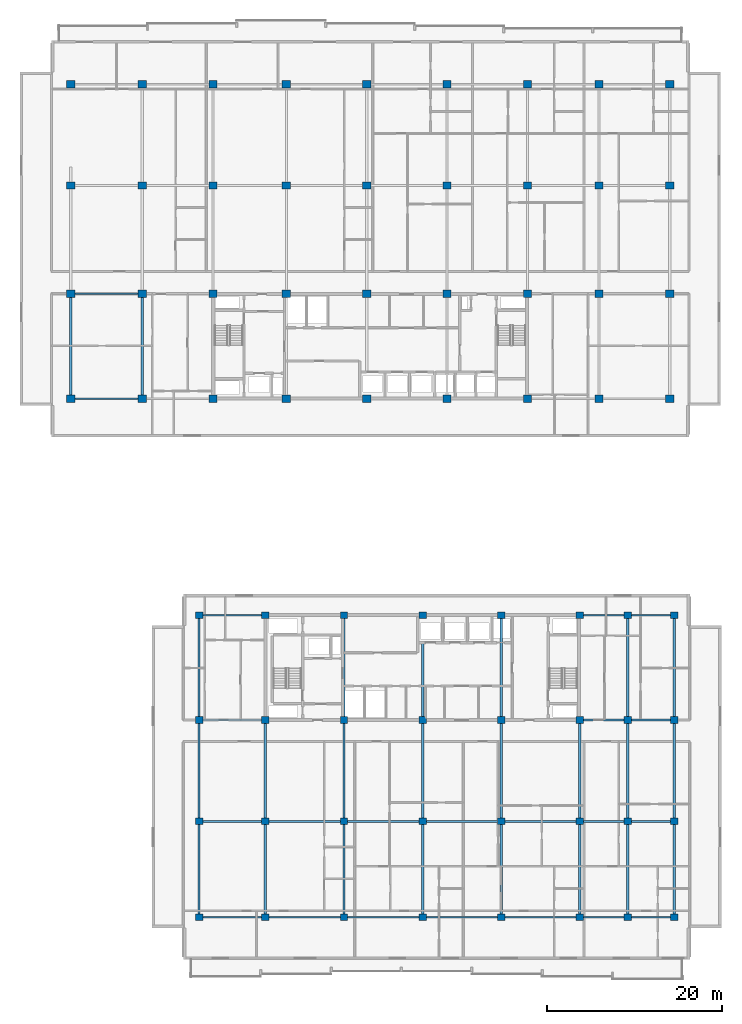
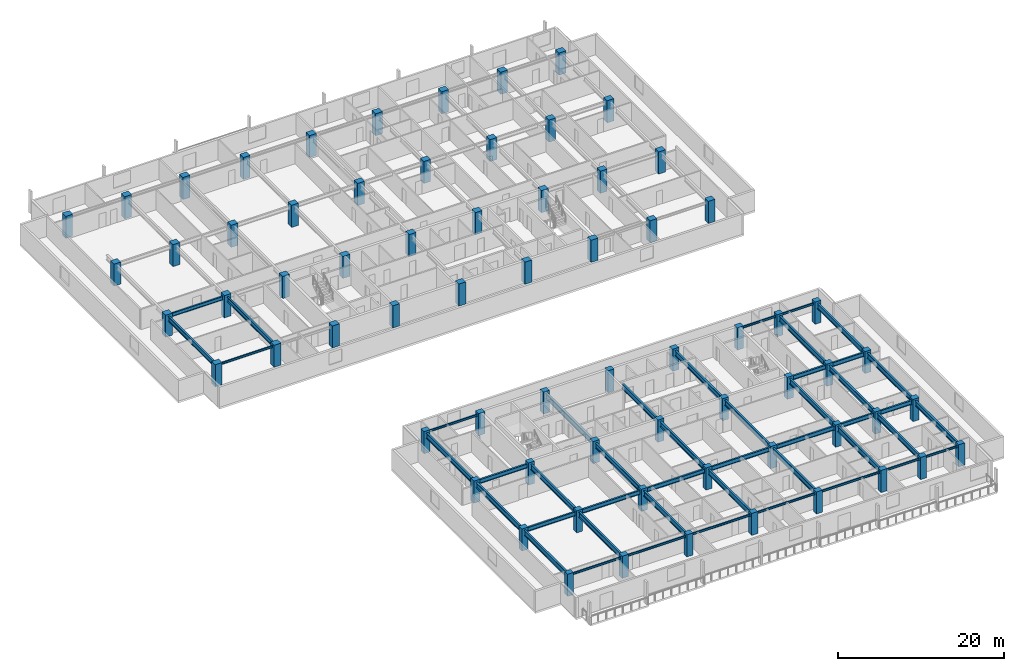
# One storey, part 1 of 21: 68 columns, 46 beams.
"""IFC4 building model written with IfcOpenShell, lengths in metres."""

from ifc_helpers import new_model, si_unit, direction, frame, origin, origin_2d, place, context, subcontext, project, spatial, rectangle, i_section, extrude, material, material_profile, profile_set, type_object, element, save


model = new_model("IFC4")

# Units and contexts
model_context = context("Model", 3, precision=1e-05, world=origin(), true_north=direction((0.0, 1.0)))
body_context = subcontext(model_context, "Body", "Model", "MODEL_VIEW")
ifc_project = project(units=[si_unit("LENGTHUNIT", "METRE"), si_unit("AREAUNIT", "SQUARE_METRE"), si_unit("VOLUMEUNIT", "CUBIC_METRE"), si_unit("PLANEANGLEUNIT", "RADIAN"), si_unit("MASSUNIT", "GRAM", prefix="KILO")], contexts=[model_context])

# Site, building, storey
site_placement = place(None, origin())
site = spatial("IfcSite", under=ifc_project, at=site_placement, CompositionType="ELEMENT")
building_placement = place(site_placement, origin())
building = spatial("IfcBuilding", under=site, at=building_placement, Name="Korimba Cascade Residences", CompositionType="ELEMENT")
storey_placement = place(building_placement, frame((0.0, 0.0, 106.800048828125)))
storey = spatial("IfcBuildingStorey", under=building, at=storey_placement, Name="L30", CompositionType="ELEMENT", Elevation=106.800048828125)

# Columns
ifc_material_1 = material(Name="Concrete C65/80", Category="concrete")
ifc_material_profile_1 = material_profile(ifc_material_1, rectangle(XDim=0.85009765625, YDim=0.75, at=origin_2d()), Name="Concrete C65/80")
ifc_profile_set_1 = profile_set([ifc_material_profile_1], Name="Concrete C65/80")
column_type_1 = type_object("IfcColumnType", Name="COL-RC-850", PredefinedType="COLUMN", material=ifc_profile_set_1)
for number, where, z_axis, x_axis, name in (
    (1, (74.5, -4.199951171875, 0.0), (0.0, 0.0, 1.0), (1.0, 0.0, 0.0), "L30 Tower 2 Column 1.1"),
    (2, (74.5, 6.800048828125, 0.0), (0.0, 0.0, 1.0), (1.0, 0.0, 0.0), "L30 Tower 2 Column 1.2"),
    (3, (74.5, 18.39990234375, 0.0), (0.0, 0.0, 1.0), (1.0, 0.0, 0.0), "L30 Tower 2 Column 1.3"),
    (4, (74.5, 30.39990234375, 0.0), (0.0, 0.0, 1.0), (1.0, 0.0, 0.0), "L30 Tower 2 Column 1.4"),
    (5, (82.10009765625, -4.199951171875, 0.0), (0.0, 0.0, 1.0), (1.0, 0.0, 0.0), "L30 Tower 2 Column 2.1"),
    (6, (82.10009765625, 6.800048828125, 0.0), (0.0, 0.0, 1.0), (1.0, 0.0, 0.0), "L30 Tower 2 Column 2.2"),
    (7, (82.10009765625, 18.39990234375, 0.0), (0.0, 0.0, 1.0), (1.0, 0.0, 0.0), "L30 Tower 2 Column 2.3"),
    (8, (82.10009765625, 30.39990234375, 0.0), (0.0, 0.0, 1.0), (1.0, 0.0, 0.0), "L30 Tower 2 Column 2.4"),
    (9, (91.10009765625, -4.199951171875, 0.0), (0.0, 0.0, 1.0), (1.0, 0.0, 0.0), "L30 Tower 2 Column 3.1"),
    (10, (91.10009765625, 6.800048828125, 0.0), (0.0, 0.0, 1.0), (1.0, 0.0, 0.0), "L30 Tower 2 Column 3.2"),
    (11, (91.10009765625, 18.39990234375, 0.0), (0.0, 0.0, 1.0), (1.0, 0.0, 0.0), "L30 Tower 2 Column 3.3"),
    (12, (91.10009765625, 30.39990234375, 0.0), (0.0, 0.0, 1.0), (1.0, 0.0, 0.0), "L30 Tower 2 Column 3.4"),
    (13, (100.10009765625, -4.199951171875, 0.0), (0.0, 0.0, 1.0), (1.0, 0.0, 0.0), "L30 Tower 2 Column 4.1"),
    (14, (100.10009765625, 6.800048828125, 0.0), (0.0, 0.0, 1.0), (1.0, 0.0, 0.0), "L30 Tower 2 Column 4.2"),
    (15, (100.10009765625, 18.39990234375, 0.0), (0.0, 0.0, 1.0), (1.0, 0.0, 0.0), "L30 Tower 2 Column 4.3"),
    (16, (100.10009765625, 30.39990234375, 0.0), (0.0, 0.0, 1.0), (1.0, 0.0, 0.0), "L30 Tower 2 Column 4.4"),
    (17, (109.10009765625, -4.199951171875, 0.0), (0.0, 0.0, 1.0), (1.0, 0.0, 0.0), "L30 Tower 2 Column 5.1"),
    (18, (109.10009765625, 6.800048828125, 0.0), (0.0, 0.0, 1.0), (1.0, 0.0, 0.0), "L30 Tower 2 Column 5.2"),
    (19, (109.10009765625, 18.39990234375, 0.0), (0.0, 0.0, 1.0), (1.0, 0.0, 0.0), "L30 Tower 2 Column 5.3"),
    (20, (109.10009765625, 30.39990234375, 0.0), (0.0, 0.0, 1.0), (1.0, 0.0, 0.0), "L30 Tower 2 Column 5.4"),
    (21, (118.10009765625, -4.199951171875, 0.0), (0.0, 0.0, 1.0), (1.0, 0.0, 0.0), "L30 Tower 2 Column 6.1"),
    (22, (118.10009765625, 6.800048828125, 0.0), (0.0, 0.0, 1.0), (1.0, 0.0, 0.0), "L30 Tower 2 Column 6.2"),
    (23, (118.10009765625, 18.39990234375, 0.0), (0.0, 0.0, 1.0), (1.0, 0.0, 0.0), "L30 Tower 2 Column 6.3"),
    (24, (118.10009765625, 30.39990234375, 0.0), (0.0, 0.0, 1.0), (1.0, 0.0, 0.0), "L30 Tower 2 Column 6.4"),
    (25, (123.60009765625, -4.199951171875, 0.0), (0.0, 0.0, 1.0), (1.0, 0.0, 0.0), "L30 Tower 2 Column 7.1"),
    (26, (123.60009765625, 6.800048828125, 0.0), (0.0, 0.0, 1.0), (1.0, 0.0, 0.0), "L30 Tower 2 Column 7.2"),
    (27, (123.60009765625, 18.39990234375, 0.0), (0.0, 0.0, 1.0), (1.0, 0.0, 0.0), "L30 Tower 2 Column 7.3"),
    (28, (123.60009765625, 30.39990234375, 0.0), (0.0, 0.0, 1.0), (1.0, 0.0, 0.0), "L30 Tower 2 Column 7.4"),
    (29, (128.89990234375, -4.199951171875, 0.0), (0.0, 0.0, 1.0), (1.0, 0.0, 0.0), "L30 Tower 2 Column 8.1"),
    (30, (128.89990234375, 6.800048828125, 0.0), (0.0, 0.0, 1.0), (1.0, 0.0, 0.0), "L30 Tower 2 Column 8.2"),
    (31, (128.89990234375, 18.39990234375, 0.0), (0.0, 0.0, 1.0), (1.0, 0.0, 0.0), "L30 Tower 2 Column 8.3"),
    (32, (128.89990234375, 30.39990234375, 0.0), (0.0, 0.0, 1.0), (1.0, 0.0, 0.0), "L30 Tower 2 Column 8.4"),
):
    element("IfcColumn", number, at=place(storey_placement, frame(where, z_axis=z_axis, x_axis=x_axis)), inside=storey, type_object=column_type_1, Name=name, PredefinedType="COLUMN", context=body_context, shape_type="SweptSolid", body=[
        extrude(rectangle(XDim=0.85009765625, YDim=0.75, at=origin_2d()), origin(), (0.0, 0.0, 1.0), 3.25),
    ])
ifc_material_profile_2 = material_profile(ifc_material_1, rectangle(XDim=0.949951171875, YDim=0.85009765625, at=origin_2d()), Name="Concrete C65/80")
ifc_profile_set_2 = profile_set([ifc_material_profile_2], Name="Concrete C65/80")
column_type_2 = type_object("IfcColumnType", Name="COL-RC-950", PredefinedType="COLUMN", material=ifc_profile_set_2)
for number, where, z_axis, x_axis, name in (
    (33, (59.800048828125, 55.199951171875, 0.0), (0.0, 0.0, 1.0), (1.0, 0.0, 0.0), "L30 Tower 1 Column 1.1"),
    (34, (59.800048828125, 67.199951171875, 0.0), (0.0, 0.0, 1.0), (1.0, 0.0, 0.0), "L30 Tower 1 Column 1.2"),
    (35, (59.800048828125, 79.60009765625, 0.0), (0.0, 0.0, 1.0), (1.0, 0.0, 0.0), "L30 Tower 1 Column 1.3"),
    (36, (59.800048828125, 91.199951171875, 0.0), (0.0, 0.0, 1.0), (1.0, 0.0, 0.0), "L30 Tower 1 Column 1.4"),
    (37, (68.0, 55.199951171875, 0.0), (0.0, 0.0, 1.0), (1.0, 0.0, 0.0), "L30 Tower 1 Column 2.1"),
    (38, (68.0, 67.199951171875, 0.0), (0.0, 0.0, 1.0), (1.0, 0.0, 0.0), "L30 Tower 1 Column 2.2"),
    (39, (68.0, 79.60009765625, 0.0), (0.0, 0.0, 1.0), (1.0, 0.0, 0.0), "L30 Tower 1 Column 2.3"),
    (40, (68.0, 91.199951171875, 0.0), (0.0, 0.0, 1.0), (1.0, 0.0, 0.0), "L30 Tower 1 Column 2.4"),
    (41, (76.10009765625, 55.199951171875, 0.0), (0.0, 0.0, 1.0), (1.0, 0.0, 0.0), "L30 Tower 1 Column 3.1"),
    (42, (76.10009765625, 67.199951171875, 0.0), (0.0, 0.0, 1.0), (1.0, 0.0, 0.0), "L30 Tower 1 Column 3.2"),
    (43, (76.10009765625, 79.60009765625, 0.0), (0.0, 0.0, 1.0), (1.0, 0.0, 0.0), "L30 Tower 1 Column 3.3"),
    (44, (76.10009765625, 91.199951171875, 0.0), (0.0, 0.0, 1.0), (1.0, 0.0, 0.0), "L30 Tower 1 Column 3.4"),
    (45, (84.5, 55.199951171875, 0.0), (0.0, 0.0, 1.0), (1.0, 0.0, 0.0), "L30 Tower 1 Column 4.1"),
    (46, (84.5, 67.199951171875, 0.0), (0.0, 0.0, 1.0), (1.0, 0.0, 0.0), "L30 Tower 1 Column 4.2"),
    (47, (84.5, 79.60009765625, 0.0), (0.0, 0.0, 1.0), (1.0, 0.0, 0.0), "L30 Tower 1 Column 4.3"),
    (48, (84.5, 91.199951171875, 0.0), (0.0, 0.0, 1.0), (1.0, 0.0, 0.0), "L30 Tower 1 Column 4.4"),
    (49, (93.699951171875, 55.199951171875, 0.0), (0.0, 0.0, 1.0), (1.0, 0.0, 0.0), "L30 Tower 1 Column 5.1"),
    (50, (93.699951171875, 67.199951171875, 0.0), (0.0, 0.0, 1.0), (1.0, 0.0, 0.0), "L30 Tower 1 Column 5.2"),
    (51, (93.699951171875, 79.60009765625, 0.0), (0.0, 0.0, 1.0), (1.0, 0.0, 0.0), "L30 Tower 1 Column 5.3"),
    (52, (93.699951171875, 91.199951171875, 0.0), (0.0, 0.0, 1.0), (1.0, 0.0, 0.0), "L30 Tower 1 Column 5.4"),
    (53, (102.89990234375, 55.199951171875, 0.0), (0.0, 0.0, 1.0), (1.0, 0.0, 0.0), "L30 Tower 1 Column 6.1"),
    (54, (102.89990234375, 67.199951171875, 0.0), (0.0, 0.0, 1.0), (1.0, 0.0, 0.0), "L30 Tower 1 Column 6.2"),
    (55, (102.89990234375, 79.60009765625, 0.0), (0.0, 0.0, 1.0), (1.0, 0.0, 0.0), "L30 Tower 1 Column 6.3"),
    (56, (102.89990234375, 91.199951171875, 0.0), (0.0, 0.0, 1.0), (1.0, 0.0, 0.0), "L30 Tower 1 Column 6.4"),
    (57, (112.10009765625, 55.199951171875, 0.0), (0.0, 0.0, 1.0), (1.0, 0.0, 0.0), "L30 Tower 1 Column 7.1"),
    (58, (112.10009765625, 67.199951171875, 0.0), (0.0, 0.0, 1.0), (1.0, 0.0, 0.0), "L30 Tower 1 Column 7.2"),
    (59, (112.10009765625, 79.60009765625, 0.0), (0.0, 0.0, 1.0), (1.0, 0.0, 0.0), "L30 Tower 1 Column 7.3"),
    (60, (112.10009765625, 91.199951171875, 0.0), (0.0, 0.0, 1.0), (1.0, 0.0, 0.0), "L30 Tower 1 Column 7.4"),
    (61, (120.300048828125, 55.199951171875, 0.0), (0.0, 0.0, 1.0), (1.0, 0.0, 0.0), "L30 Tower 1 Column 8.1"),
    (62, (120.300048828125, 67.199951171875, 0.0), (0.0, 0.0, 1.0), (1.0, 0.0, 0.0), "L30 Tower 1 Column 8.2"),
    (63, (120.300048828125, 79.60009765625, 0.0), (0.0, 0.0, 1.0), (1.0, 0.0, 0.0), "L30 Tower 1 Column 8.3"),
    (64, (120.300048828125, 91.199951171875, 0.0), (0.0, 0.0, 1.0), (1.0, 0.0, 0.0), "L30 Tower 1 Column 8.4"),
    (65, (128.39990234375, 55.199951171875, 0.0), (0.0, 0.0, 1.0), (1.0, 0.0, 0.0), "L30 Tower 1 Column 9.1"),
    (66, (128.39990234375, 67.199951171875, 0.0), (0.0, 0.0, 1.0), (1.0, 0.0, 0.0), "L30 Tower 1 Column 9.2"),
    (67, (128.39990234375, 79.60009765625, 0.0), (0.0, 0.0, 1.0), (1.0, 0.0, 0.0), "L30 Tower 1 Column 9.3"),
    (68, (128.39990234375, 91.199951171875, 0.0), (0.0, 0.0, 1.0), (1.0, 0.0, 0.0), "L30 Tower 1 Column 9.4"),
):
    element("IfcColumn", number, at=place(storey_placement, frame(where, z_axis=z_axis, x_axis=x_axis)), inside=storey, type_object=column_type_2, Name=name, PredefinedType="COLUMN", context=body_context, shape_type="SweptSolid", body=[
        extrude(rectangle(XDim=0.949951171875, YDim=0.85009765625, at=origin_2d()), origin(), (0.0, 0.0, 1.0), 3.25),
    ])

# Beams
ifc_material_2 = material(Name="Steel S355", Category="steel")
ifc_material_profile_3 = material_profile(ifc_material_2, i_section(OverallWidth=0.165771484375, OverallDepth=0.306640625, WebThickness=0.006591796875, FlangeThickness=0.01171875, FilletRadius=0.0087890625, at=origin_2d()), Name="Steel S355")
ifc_profile_set_3 = profile_set([ifc_material_profile_3], Name="Steel S355")
beam_type_1 = type_object("IfcBeamType", Name="BM-STL-UB305", PredefinedType="SPANDREL", material=ifc_profile_set_3)
beam_1_placement = place(storey_placement, frame((60.27490234375, 55.199951171875, 2.816650390625), z_axis=(1.0, 0.0, 0.0), x_axis=(0.0, 1.0, 0.0)))
element("IfcBeam", 69, at=beam_1_placement, inside=storey, type_object=beam_type_1, Name="L30 T1 E-W Girder Y1 Bay 1", PredefinedType="SPANDREL", context=body_context, shape_type="SweptSolid", body=[
    extrude(i_section(OverallWidth=0.165771484375, OverallDepth=0.306640625, WebThickness=0.006591796875, FlangeThickness=0.01171875, FilletRadius=0.0087890625, at=origin_2d()), origin(), (0.0, 0.0, 1.0), 7.25),
])
beam_2_placement = place(storey_placement, frame((74.925048828125, -4.199951171875, 2.816650390625), z_axis=(1.0, 0.0, 0.0), x_axis=(0.0, 1.0, 0.0)))
element("IfcBeam", 70, at=beam_2_placement, inside=storey, type_object=beam_type_1, Name="L30 T2 E-W Girder Y1 Bay 1", PredefinedType="SPANDREL", context=body_context, shape_type="SweptSolid", body=[
    extrude(i_section(OverallWidth=0.165771484375, OverallDepth=0.306640625, WebThickness=0.006591796875, FlangeThickness=0.01171875, FilletRadius=0.0087890625, at=origin_2d()), origin(), (0.0, 0.0, 1.0), 6.75),
])
for number, where, z_axis, x_axis, name in (
    (71, (82.52490234375, -4.199951171875, 2.816650390625), (1.0, 0.0, 0.0), (0.0, 1.0, 0.0), "L30 T2 E-W Girder Y1 Bay 2"),
    (72, (91.52490234375, -4.199951171875, 2.816650390625), (1.0, 0.0, 0.0), (0.0, 1.0, 0.0), "L30 T2 E-W Girder Y1 Bay 3"),
    (73, (100.52490234375, -4.199951171875, 2.816650390625), (1.0, 0.0, 0.0), (0.0, 1.0, 0.0), "L30 T2 E-W Girder Y1 Bay 4"),
    (74, (109.52490234375, -4.199951171875, 2.816650390625), (1.0, 0.0, 0.0), (0.0, 1.0, 0.0), "L30 T2 E-W Girder Y1 Bay 5"),
):
    element("IfcBeam", number, at=place(storey_placement, frame(where, z_axis=z_axis, x_axis=x_axis)), inside=storey, type_object=beam_type_1, Name=name, PredefinedType="SPANDREL", context=body_context, shape_type="SweptSolid", body=[
        extrude(i_section(OverallWidth=0.165771484375, OverallDepth=0.306640625, WebThickness=0.006591796875, FlangeThickness=0.01171875, FilletRadius=0.0087890625, at=origin_2d()), origin(), (0.0, 0.0, 1.0), 8.150146484375),
    ])
beam_3_placement = place(storey_placement, frame((118.52490234375, -4.199951171875, 2.816650390625), z_axis=(1.0, 0.0, 0.0), x_axis=(0.0, 1.0, 0.0)))
element("IfcBeam", 75, at=beam_3_placement, inside=storey, type_object=beam_type_1, Name="L30 T2 E-W Girder Y1 Bay 6", PredefinedType="SPANDREL", context=body_context, shape_type="SweptSolid", body=[
    extrude(i_section(OverallWidth=0.165771484375, OverallDepth=0.306640625, WebThickness=0.006591796875, FlangeThickness=0.01171875, FilletRadius=0.0087890625, at=origin_2d()), origin(), (0.0, 0.0, 1.0), 4.650146484375),
])
beam_4_placement = place(storey_placement, frame((124.02490234375, -4.199951171875, 2.816650390625), z_axis=(1.0, 0.0, 0.0), x_axis=(0.0, 1.0, 0.0)))
element("IfcBeam", 76, at=beam_4_placement, inside=storey, type_object=beam_type_1, Name="L30 T2 E-W Girder Y1 Bay 7", PredefinedType="SPANDREL", context=body_context, shape_type="SweptSolid", body=[
    extrude(i_section(OverallWidth=0.165771484375, OverallDepth=0.306640625, WebThickness=0.006591796875, FlangeThickness=0.01171875, FilletRadius=0.0087890625, at=origin_2d()), origin(), (0.0, 0.0, 1.0), 4.4501953125),
])
beam_5_placement = place(storey_placement, frame((74.925048828125, 30.39990234375, 2.816650390625), z_axis=(1.0, 0.0, 0.0), x_axis=(0.0, 1.0, 0.0)))
element("IfcBeam", 77, at=beam_5_placement, inside=storey, type_object=beam_type_1, Name="L30 T2 E-W Girder Y4 Bay 1", PredefinedType="SPANDREL", context=body_context, shape_type="SweptSolid", body=[
    extrude(i_section(OverallWidth=0.165771484375, OverallDepth=0.306640625, WebThickness=0.006591796875, FlangeThickness=0.01171875, FilletRadius=0.0087890625, at=origin_2d()), origin(), (0.0, 0.0, 1.0), 6.75),
])
beam_6_placement = place(storey_placement, frame((118.52490234375, 30.39990234375, 2.816650390625), z_axis=(1.0, 0.0, 0.0), x_axis=(0.0, 1.0, 0.0)))
element("IfcBeam", 78, at=beam_6_placement, inside=storey, type_object=beam_type_1, Name="L30 T2 E-W Girder Y4 Bay 6", PredefinedType="SPANDREL", context=body_context, shape_type="SweptSolid", body=[
    extrude(i_section(OverallWidth=0.165771484375, OverallDepth=0.306640625, WebThickness=0.006591796875, FlangeThickness=0.01171875, FilletRadius=0.0087890625, at=origin_2d()), origin(), (0.0, 0.0, 1.0), 4.650146484375),
])
beam_7_placement = place(storey_placement, frame((124.02490234375, 30.39990234375, 2.816650390625), z_axis=(1.0, 0.0, 0.0), x_axis=(0.0, 1.0, 0.0)))
element("IfcBeam", 79, at=beam_7_placement, inside=storey, type_object=beam_type_1, Name="L30 T2 E-W Girder Y4 Bay 7", PredefinedType="SPANDREL", context=body_context, shape_type="SweptSolid", body=[
    extrude(i_section(OverallWidth=0.165771484375, OverallDepth=0.306640625, WebThickness=0.006591796875, FlangeThickness=0.01171875, FilletRadius=0.0087890625, at=origin_2d()), origin(), (0.0, 0.0, 1.0), 4.4501953125),
])
ifc_material_profile_4 = material_profile(ifc_material_2, i_section(OverallWidth=0.2099609375, OverallDepth=0.53662109375, WebThickness=0.0107421875, FlangeThickness=0.017333984375, FilletRadius=0.0126953125, at=origin_2d()), Name="Steel S355")
ifc_profile_set_4 = profile_set([ifc_material_profile_4], Name="Steel S355")
beam_type_2 = type_object("IfcBeamType", Name="BM-STL-UB533", PredefinedType="BEAM", material=ifc_profile_set_4)
beam_8_placement = place(storey_placement, frame((60.27490234375, 67.199951171875, 2.70166015625), z_axis=(1.0, 0.0, 0.0), x_axis=(0.0, 1.0, 0.0)))
element("IfcBeam", 80, at=beam_8_placement, inside=storey, type_object=beam_type_2, Name="L30 T1 E-W Girder Y2 Bay 1", PredefinedType="BEAM", context=body_context, shape_type="SweptSolid", body=[
    extrude(i_section(OverallWidth=0.2099609375, OverallDepth=0.53662109375, WebThickness=0.0107421875, FlangeThickness=0.017333984375, FilletRadius=0.0126953125, at=origin_2d()), origin(), (0.0, 0.0, 1.0), 7.25),
])
ifc_material_profile_5 = material_profile(ifc_material_2, i_section(OverallWidth=0.22900390625, OverallDepth=0.6123046875, WebThickness=0.011962890625, FlangeThickness=0.01953125, FilletRadius=0.0126953125, at=origin_2d()), Name="Steel S355")
ifc_profile_set_5 = profile_set([ifc_material_profile_5], Name="Steel S355")
beam_type_3 = type_object("IfcBeamType", Name="BM-STL-UB610B", PredefinedType="BEAM", material=ifc_profile_set_5)
beam_9_placement = place(storey_placement, frame((74.925048828125, 6.800048828125, 2.663818359375), z_axis=(1.0, 0.0, 0.0), x_axis=(0.0, 1.0, 0.0)))
element("IfcBeam", 81, at=beam_9_placement, inside=storey, type_object=beam_type_3, Name="L30 T2 E-W Girder Y2 Bay 1", PredefinedType="BEAM", context=body_context, shape_type="SweptSolid", body=[
    extrude(i_section(OverallWidth=0.22900390625, OverallDepth=0.6123046875, WebThickness=0.011962890625, FlangeThickness=0.01953125, FilletRadius=0.0126953125, at=origin_2d()), origin(), (0.0, 0.0, 1.0), 6.75),
])
for number, where, z_axis, x_axis, name in (
    (82, (82.52490234375, 6.800048828125, 2.663818359375), (1.0, 0.0, 0.0), (0.0, 1.0, 0.0), "L30 T2 E-W Girder Y2 Bay 2"),
    (83, (91.52490234375, 6.800048828125, 2.663818359375), (1.0, 0.0, 0.0), (0.0, 1.0, 0.0), "L30 T2 E-W Girder Y2 Bay 3"),
    (84, (100.52490234375, 6.800048828125, 2.663818359375), (1.0, 0.0, 0.0), (0.0, 1.0, 0.0), "L30 T2 E-W Girder Y2 Bay 4"),
    (85, (109.52490234375, 6.800048828125, 2.663818359375), (1.0, 0.0, 0.0), (0.0, 1.0, 0.0), "L30 T2 E-W Girder Y2 Bay 5"),
):
    element("IfcBeam", number, at=place(storey_placement, frame(where, z_axis=z_axis, x_axis=x_axis)), inside=storey, type_object=beam_type_3, Name=name, PredefinedType="BEAM", context=body_context, shape_type="SweptSolid", body=[
        extrude(i_section(OverallWidth=0.22900390625, OverallDepth=0.6123046875, WebThickness=0.011962890625, FlangeThickness=0.01953125, FilletRadius=0.0126953125, at=origin_2d()), origin(), (0.0, 0.0, 1.0), 8.150146484375),
    ])
beam_10_placement = place(storey_placement, frame((118.52490234375, 6.800048828125, 2.663818359375), z_axis=(1.0, 0.0, 0.0), x_axis=(0.0, 1.0, 0.0)))
element("IfcBeam", 86, at=beam_10_placement, inside=storey, type_object=beam_type_3, Name="L30 T2 E-W Girder Y2 Bay 6", PredefinedType="BEAM", context=body_context, shape_type="SweptSolid", body=[
    extrude(i_section(OverallWidth=0.22900390625, OverallDepth=0.6123046875, WebThickness=0.011962890625, FlangeThickness=0.01953125, FilletRadius=0.0126953125, at=origin_2d()), origin(), (0.0, 0.0, 1.0), 4.650146484375),
])
beam_11_placement = place(storey_placement, frame((124.02490234375, 6.800048828125, 2.663818359375), z_axis=(1.0, 0.0, 0.0), x_axis=(0.0, 1.0, 0.0)))
element("IfcBeam", 87, at=beam_11_placement, inside=storey, type_object=beam_type_3, Name="L30 T2 E-W Girder Y2 Bay 7", PredefinedType="BEAM", context=body_context, shape_type="SweptSolid", body=[
    extrude(i_section(OverallWidth=0.22900390625, OverallDepth=0.6123046875, WebThickness=0.011962890625, FlangeThickness=0.01953125, FilletRadius=0.0126953125, at=origin_2d()), origin(), (0.0, 0.0, 1.0), 4.4501953125),
])
beam_12_placement = place(storey_placement, frame((74.925048828125, 18.39990234375, 2.663818359375), z_axis=(1.0, 0.0, 0.0), x_axis=(0.0, 1.0, 0.0)))
element("IfcBeam", 88, at=beam_12_placement, inside=storey, type_object=beam_type_3, Name="L30 T2 E-W Girder Y3 Bay 1", PredefinedType="BEAM", context=body_context, shape_type="SweptSolid", body=[
    extrude(i_section(OverallWidth=0.22900390625, OverallDepth=0.6123046875, WebThickness=0.011962890625, FlangeThickness=0.01953125, FilletRadius=0.0126953125, at=origin_2d()), origin(), (0.0, 0.0, 1.0), 6.75),
])
beam_13_placement = place(storey_placement, frame((118.52490234375, 18.39990234375, 2.663818359375), z_axis=(1.0, 0.0, 0.0), x_axis=(0.0, 1.0, 0.0)))
element("IfcBeam", 89, at=beam_13_placement, inside=storey, type_object=beam_type_3, Name="L30 T2 E-W Girder Y3 Bay 6", PredefinedType="BEAM", context=body_context, shape_type="SweptSolid", body=[
    extrude(i_section(OverallWidth=0.22900390625, OverallDepth=0.6123046875, WebThickness=0.011962890625, FlangeThickness=0.01953125, FilletRadius=0.0126953125, at=origin_2d()), origin(), (0.0, 0.0, 1.0), 4.650146484375),
])
beam_14_placement = place(storey_placement, frame((124.02490234375, 18.39990234375, 2.663818359375), z_axis=(1.0, 0.0, 0.0), x_axis=(0.0, 1.0, 0.0)))
element("IfcBeam", 90, at=beam_14_placement, inside=storey, type_object=beam_type_3, Name="L30 T2 E-W Girder Y3 Bay 7", PredefinedType="BEAM", context=body_context, shape_type="SweptSolid", body=[
    extrude(i_section(OverallWidth=0.22900390625, OverallDepth=0.6123046875, WebThickness=0.011962890625, FlangeThickness=0.01953125, FilletRadius=0.0126953125, at=origin_2d()), origin(), (0.0, 0.0, 1.0), 4.4501953125),
])
ifc_material_profile_6 = material_profile(ifc_material_2, i_section(OverallWidth=0.255859375, OverallDepth=0.69287109375, WebThickness=0.014404296875, FlangeThickness=0.023681640625, FilletRadius=0.01513671875, at=origin_2d()), Name="Steel S355")
ifc_profile_set_6 = profile_set([ifc_material_profile_6], Name="Steel S355")
beam_type_4 = type_object("IfcBeamType", Name="BM-STL-UB686", PredefinedType="BEAM", material=ifc_profile_set_6)
for number, where, z_axis, x_axis, name in (
    (91, (59.800048828125, 55.625, 2.62353515625), (0.0, 1.0, 0.0), (-1.0, 0.0, 0.0), "L30 T1 N-S Girder X1 Seg 1"),
    (92, (68.0, 55.625, 2.62353515625), (0.0, 1.0, 0.0), (-1.0, 0.0, 0.0), "L30 T1 N-S Girder X2 Seg 1"),
):
    element("IfcBeam", number, at=place(storey_placement, frame(where, z_axis=z_axis, x_axis=x_axis)), inside=storey, type_object=beam_type_4, Name=name, PredefinedType="BEAM", context=body_context, shape_type="SweptSolid", body=[
        extrude(i_section(OverallWidth=0.255859375, OverallDepth=0.69287109375, WebThickness=0.014404296875, FlangeThickness=0.023681640625, FilletRadius=0.01513671875, at=origin_2d()), origin(), (0.0, 0.0, 1.0), 11.14990234375),
    ])
ifc_material_profile_7 = material_profile(ifc_material_2, i_section(OverallWidth=0.26806640625, OverallDepth=0.769775390625, WebThickness=0.015625, FlangeThickness=0.025390625, FilletRadius=0.0166015625, at=origin_2d()), Name="Steel S355")
ifc_profile_set_7 = profile_set([ifc_material_profile_7], Name="Steel S355")
beam_type_5 = type_object("IfcBeamType", Name="BM-STL-UB762", PredefinedType="BEAM", material=ifc_profile_set_7)
beam_15_placement = place(storey_placement, frame((74.5, -3.824951171875, 2.5849609375), z_axis=(0.0, 1.0, 0.0), x_axis=(-1.0, 0.0, 0.0)))
element("IfcBeam", 93, at=beam_15_placement, inside=storey, type_object=beam_type_5, Name="L30 T2 N-S Girder X1 Seg 1", PredefinedType="BEAM", context=body_context, shape_type="SweptSolid", body=[
    extrude(i_section(OverallWidth=0.26806640625, OverallDepth=0.769775390625, WebThickness=0.015625, FlangeThickness=0.025390625, FilletRadius=0.0166015625, at=origin_2d()), origin(), (0.0, 0.0, 1.0), 10.25),
])
beam_16_placement = place(storey_placement, frame((74.5, 7.175048828125, 2.5849609375), z_axis=(0.0, 1.0, 0.0), x_axis=(-1.0, 0.0, 0.0)))
element("IfcBeam", 94, at=beam_16_placement, inside=storey, type_object=beam_type_5, Name="L30 T2 N-S Girder X1 Seg 2", PredefinedType="BEAM", context=body_context, shape_type="SweptSolid", body=[
    extrude(i_section(OverallWidth=0.26806640625, OverallDepth=0.769775390625, WebThickness=0.015625, FlangeThickness=0.025390625, FilletRadius=0.0166015625, at=origin_2d()), origin(), (0.0, 0.0, 1.0), 10.849853515625),
])
beam_17_placement = place(storey_placement, frame((74.5, 18.77490234375, 2.5849609375), z_axis=(0.0, 1.0, 0.0), x_axis=(-1.0, 0.0, 0.0)))
element("IfcBeam", 95, at=beam_17_placement, inside=storey, type_object=beam_type_5, Name="L30 T2 N-S Girder X1 Seg 3", PredefinedType="BEAM", context=body_context, shape_type="SweptSolid", body=[
    extrude(i_section(OverallWidth=0.26806640625, OverallDepth=0.769775390625, WebThickness=0.015625, FlangeThickness=0.025390625, FilletRadius=0.0166015625, at=origin_2d()), origin(), (0.0, 0.0, 1.0), 11.25),
])
beam_18_placement = place(storey_placement, frame((82.10009765625, -3.824951171875, 2.5849609375), z_axis=(0.0, 1.0, 0.0), x_axis=(-1.0, 0.0, 0.0)))
element("IfcBeam", 96, at=beam_18_placement, inside=storey, type_object=beam_type_5, Name="L30 T2 N-S Girder X2 Seg 1", PredefinedType="BEAM", context=body_context, shape_type="SweptSolid", body=[
    extrude(i_section(OverallWidth=0.26806640625, OverallDepth=0.769775390625, WebThickness=0.015625, FlangeThickness=0.025390625, FilletRadius=0.0166015625, at=origin_2d()), origin(), (0.0, 0.0, 1.0), 10.25),
])
beam_19_placement = place(storey_placement, frame((82.10009765625, 7.175048828125, 2.5849609375), z_axis=(0.0, 1.0, 0.0), x_axis=(-1.0, 0.0, 0.0)))
element("IfcBeam", 97, at=beam_19_placement, inside=storey, type_object=beam_type_5, Name="L30 T2 N-S Girder X2 Seg 2", PredefinedType="BEAM", context=body_context, shape_type="SweptSolid", body=[
    extrude(i_section(OverallWidth=0.26806640625, OverallDepth=0.769775390625, WebThickness=0.015625, FlangeThickness=0.025390625, FilletRadius=0.0166015625, at=origin_2d()), origin(), (0.0, 0.0, 1.0), 10.849853515625),
])
beam_20_placement = place(storey_placement, frame((91.10009765625, -3.824951171875, 2.5849609375), z_axis=(0.0, 1.0, 0.0), x_axis=(-1.0, 0.0, 0.0)))
element("IfcBeam", 98, at=beam_20_placement, inside=storey, type_object=beam_type_5, Name="L30 T2 N-S Girder X3 Seg 1", PredefinedType="BEAM", context=body_context, shape_type="SweptSolid", body=[
    extrude(i_section(OverallWidth=0.26806640625, OverallDepth=0.769775390625, WebThickness=0.015625, FlangeThickness=0.025390625, FilletRadius=0.0166015625, at=origin_2d()), origin(), (0.0, 0.0, 1.0), 10.25),
])
beam_21_placement = place(storey_placement, frame((91.10009765625, 7.175048828125, 2.5849609375), z_axis=(0.0, 1.0, 0.0), x_axis=(-1.0, 0.0, 0.0)))
element("IfcBeam", 99, at=beam_21_placement, inside=storey, type_object=beam_type_5, Name="L30 T2 N-S Girder X3 Seg 2", PredefinedType="BEAM", context=body_context, shape_type="SweptSolid", body=[
    extrude(i_section(OverallWidth=0.26806640625, OverallDepth=0.769775390625, WebThickness=0.015625, FlangeThickness=0.025390625, FilletRadius=0.0166015625, at=origin_2d()), origin(), (0.0, 0.0, 1.0), 10.849853515625),
])
beam_22_placement = place(storey_placement, frame((91.10009765625, 18.77490234375, 2.5849609375), z_axis=(0.0, 1.0, 0.0), x_axis=(-1.0, 0.0, 0.0)))
element("IfcBeam", 100, at=beam_22_placement, inside=storey, type_object=beam_type_5, Name="L30 T2 N-S Girder X3 Seg 3", PredefinedType="BEAM", context=body_context, shape_type="SweptSolid", body=[
    extrude(i_section(OverallWidth=0.26806640625, OverallDepth=0.769775390625, WebThickness=0.015625, FlangeThickness=0.025390625, FilletRadius=0.0166015625, at=origin_2d()), origin(), (0.0, 0.0, 1.0), 11.25),
])
beam_23_placement = place(storey_placement, frame((100.10009765625, -3.824951171875, 2.5849609375), z_axis=(0.0, 1.0, 0.0), x_axis=(-1.0, 0.0, 0.0)))
element("IfcBeam", 101, at=beam_23_placement, inside=storey, type_object=beam_type_5, Name="L30 T2 N-S Girder X4 Seg 1", PredefinedType="BEAM", context=body_context, shape_type="SweptSolid", body=[
    extrude(i_section(OverallWidth=0.26806640625, OverallDepth=0.769775390625, WebThickness=0.015625, FlangeThickness=0.025390625, FilletRadius=0.0166015625, at=origin_2d()), origin(), (0.0, 0.0, 1.0), 10.25),
])
beam_24_placement = place(storey_placement, frame((100.10009765625, 7.175048828125, 2.5849609375), z_axis=(0.0, 1.0, 0.0), x_axis=(-1.0, 0.0, 0.0)))
element("IfcBeam", 102, at=beam_24_placement, inside=storey, type_object=beam_type_5, Name="L30 T2 N-S Girder X4 Seg 2", PredefinedType="BEAM", context=body_context, shape_type="SweptSolid", body=[
    extrude(i_section(OverallWidth=0.26806640625, OverallDepth=0.769775390625, WebThickness=0.015625, FlangeThickness=0.025390625, FilletRadius=0.0166015625, at=origin_2d()), origin(), (0.0, 0.0, 1.0), 10.849853515625),
])
beam_25_placement = place(storey_placement, frame((100.10009765625, 18.77490234375, 2.5849609375), z_axis=(0.0, 1.0, 0.0), x_axis=(-1.0, 0.0, 0.0)))
element("IfcBeam", 103, at=beam_25_placement, inside=storey, type_object=beam_type_5, Name="L30 T2 N-S Girder X4 Seg 3", PredefinedType="BEAM", context=body_context, shape_type="SweptSolid", body=[
    extrude(i_section(OverallWidth=0.26806640625, OverallDepth=0.769775390625, WebThickness=0.015625, FlangeThickness=0.025390625, FilletRadius=0.0166015625, at=origin_2d()), origin(), (0.0, 0.0, 1.0), 8.565185546875),
])
beam_26_placement = place(storey_placement, frame((109.10009765625, -3.824951171875, 2.5849609375), z_axis=(0.0, 1.0, 0.0), x_axis=(-1.0, 0.0, 0.0)))
element("IfcBeam", 104, at=beam_26_placement, inside=storey, type_object=beam_type_5, Name="L30 T2 N-S Girder X5 Seg 1", PredefinedType="BEAM", context=body_context, shape_type="SweptSolid", body=[
    extrude(i_section(OverallWidth=0.26806640625, OverallDepth=0.769775390625, WebThickness=0.015625, FlangeThickness=0.025390625, FilletRadius=0.0166015625, at=origin_2d()), origin(), (0.0, 0.0, 1.0), 10.25),
])
beam_27_placement = place(storey_placement, frame((109.10009765625, 7.175048828125, 2.5849609375), z_axis=(0.0, 1.0, 0.0), x_axis=(-1.0, 0.0, 0.0)))
element("IfcBeam", 105, at=beam_27_placement, inside=storey, type_object=beam_type_5, Name="L30 T2 N-S Girder X5 Seg 2", PredefinedType="BEAM", context=body_context, shape_type="SweptSolid", body=[
    extrude(i_section(OverallWidth=0.26806640625, OverallDepth=0.769775390625, WebThickness=0.015625, FlangeThickness=0.025390625, FilletRadius=0.0166015625, at=origin_2d()), origin(), (0.0, 0.0, 1.0), 10.849853515625),
])
beam_28_placement = place(storey_placement, frame((109.10009765625, 18.77490234375, 2.5849609375), z_axis=(0.0, 1.0, 0.0), x_axis=(-1.0, 0.0, 0.0)))
element("IfcBeam", 106, at=beam_28_placement, inside=storey, type_object=beam_type_5, Name="L30 T2 N-S Girder X5 Seg 3", PredefinedType="BEAM", context=body_context, shape_type="SweptSolid", body=[
    extrude(i_section(OverallWidth=0.26806640625, OverallDepth=0.769775390625, WebThickness=0.015625, FlangeThickness=0.025390625, FilletRadius=0.0166015625, at=origin_2d()), origin(), (0.0, 0.0, 1.0), 11.25),
])
beam_29_placement = place(storey_placement, frame((118.10009765625, -3.824951171875, 2.5849609375), z_axis=(0.0, 1.0, 0.0), x_axis=(-1.0, 0.0, 0.0)))
element("IfcBeam", 107, at=beam_29_placement, inside=storey, type_object=beam_type_5, Name="L30 T2 N-S Girder X6 Seg 1", PredefinedType="BEAM", context=body_context, shape_type="SweptSolid", body=[
    extrude(i_section(OverallWidth=0.26806640625, OverallDepth=0.769775390625, WebThickness=0.015625, FlangeThickness=0.025390625, FilletRadius=0.0166015625, at=origin_2d()), origin(), (0.0, 0.0, 1.0), 10.25),
])
beam_30_placement = place(storey_placement, frame((118.10009765625, 7.175048828125, 2.5849609375), z_axis=(0.0, 1.0, 0.0), x_axis=(-1.0, 0.0, 0.0)))
element("IfcBeam", 108, at=beam_30_placement, inside=storey, type_object=beam_type_5, Name="L30 T2 N-S Girder X6 Seg 2", PredefinedType="BEAM", context=body_context, shape_type="SweptSolid", body=[
    extrude(i_section(OverallWidth=0.26806640625, OverallDepth=0.769775390625, WebThickness=0.015625, FlangeThickness=0.025390625, FilletRadius=0.0166015625, at=origin_2d()), origin(), (0.0, 0.0, 1.0), 10.849853515625),
])
beam_31_placement = place(storey_placement, frame((123.60009765625, -3.824951171875, 2.5849609375), z_axis=(0.0, 1.0, 0.0), x_axis=(-1.0, 0.0, 0.0)))
element("IfcBeam", 109, at=beam_31_placement, inside=storey, type_object=beam_type_5, Name="L30 T2 N-S Girder X7 Seg 1", PredefinedType="BEAM", context=body_context, shape_type="SweptSolid", body=[
    extrude(i_section(OverallWidth=0.26806640625, OverallDepth=0.769775390625, WebThickness=0.015625, FlangeThickness=0.025390625, FilletRadius=0.0166015625, at=origin_2d()), origin(), (0.0, 0.0, 1.0), 10.25),
])
beam_32_placement = place(storey_placement, frame((123.60009765625, 7.175048828125, 2.5849609375), z_axis=(0.0, 1.0, 0.0), x_axis=(-1.0, 0.0, 0.0)))
element("IfcBeam", 110, at=beam_32_placement, inside=storey, type_object=beam_type_5, Name="L30 T2 N-S Girder X7 Seg 2", PredefinedType="BEAM", context=body_context, shape_type="SweptSolid", body=[
    extrude(i_section(OverallWidth=0.26806640625, OverallDepth=0.769775390625, WebThickness=0.015625, FlangeThickness=0.025390625, FilletRadius=0.0166015625, at=origin_2d()), origin(), (0.0, 0.0, 1.0), 10.849853515625),
])
beam_33_placement = place(storey_placement, frame((123.60009765625, 18.77490234375, 2.5849609375), z_axis=(0.0, 1.0, 0.0), x_axis=(-1.0, 0.0, 0.0)))
element("IfcBeam", 111, at=beam_33_placement, inside=storey, type_object=beam_type_5, Name="L30 T2 N-S Girder X7 Seg 3", PredefinedType="BEAM", context=body_context, shape_type="SweptSolid", body=[
    extrude(i_section(OverallWidth=0.26806640625, OverallDepth=0.769775390625, WebThickness=0.015625, FlangeThickness=0.025390625, FilletRadius=0.0166015625, at=origin_2d()), origin(), (0.0, 0.0, 1.0), 11.25),
])
beam_34_placement = place(storey_placement, frame((128.89990234375, -3.824951171875, 2.5849609375), z_axis=(0.0, 1.0, 0.0), x_axis=(-1.0, 0.0, 0.0)))
element("IfcBeam", 112, at=beam_34_placement, inside=storey, type_object=beam_type_5, Name="L30 T2 N-S Girder X8 Seg 1", PredefinedType="BEAM", context=body_context, shape_type="SweptSolid", body=[
    extrude(i_section(OverallWidth=0.26806640625, OverallDepth=0.769775390625, WebThickness=0.015625, FlangeThickness=0.025390625, FilletRadius=0.0166015625, at=origin_2d()), origin(), (0.0, 0.0, 1.0), 10.25),
])
beam_35_placement = place(storey_placement, frame((128.89990234375, 7.175048828125, 2.5849609375), z_axis=(0.0, 1.0, 0.0), x_axis=(-1.0, 0.0, 0.0)))
element("IfcBeam", 113, at=beam_35_placement, inside=storey, type_object=beam_type_5, Name="L30 T2 N-S Girder X8 Seg 2", PredefinedType="BEAM", context=body_context, shape_type="SweptSolid", body=[
    extrude(i_section(OverallWidth=0.26806640625, OverallDepth=0.769775390625, WebThickness=0.015625, FlangeThickness=0.025390625, FilletRadius=0.0166015625, at=origin_2d()), origin(), (0.0, 0.0, 1.0), 10.849853515625),
])
beam_36_placement = place(storey_placement, frame((128.89990234375, 18.77490234375, 2.5849609375), z_axis=(0.0, 1.0, 0.0), x_axis=(-1.0, 0.0, 0.0)))
element("IfcBeam", 114, at=beam_36_placement, inside=storey, type_object=beam_type_5, Name="L30 T2 N-S Girder X8 Seg 3", PredefinedType="BEAM", context=body_context, shape_type="SweptSolid", body=[
    extrude(i_section(OverallWidth=0.26806640625, OverallDepth=0.769775390625, WebThickness=0.015625, FlangeThickness=0.025390625, FilletRadius=0.0166015625, at=origin_2d()), origin(), (0.0, 0.0, 1.0), 11.25),
])

save(model, "model.ifc")
